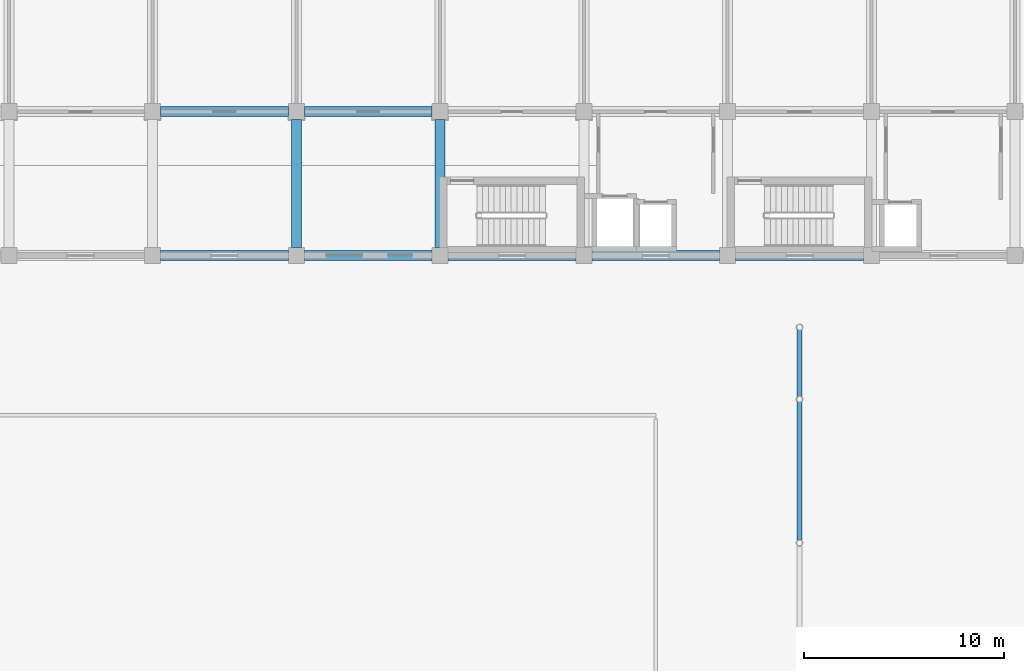
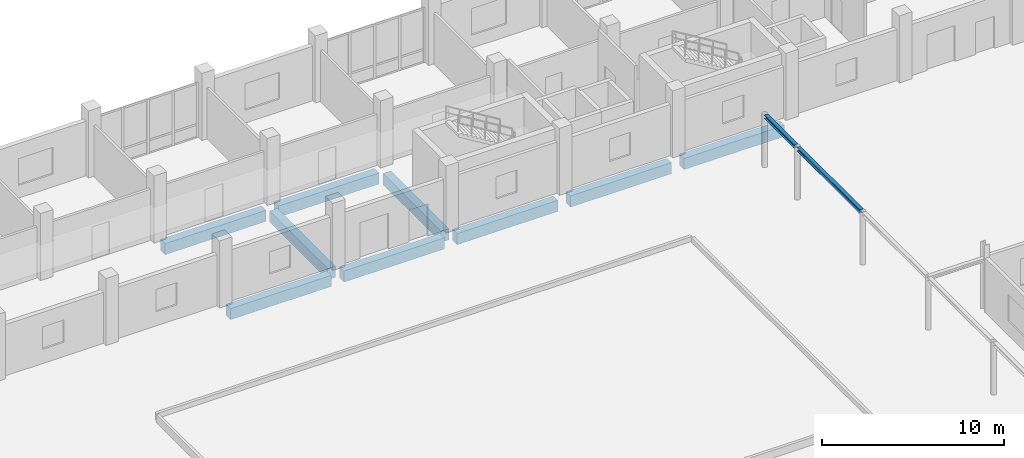
# One storey, part 52 of 139: 11 beams.
"""IFC4 building model written with IfcOpenShell, lengths in metres."""

import ifcopenshell
import ifcopenshell.guid

model = None  # the IFC model being written
_history = None  # IfcOwnerHistory: only IFC2X3 demands one
_inside = {}  # id of a spatial element -> (the spatial element, [elements in it])
_under = {}  # id of a project, library or spatial element -> (it, [spatial elements below it])
_declared = {}  # id of a project -> (the project, [libraries it declares])
_typed = {}  # id of a type object -> (the type object, [elements of that type])
_made_of = {}  # id of a material, layer set ... -> (it, [elements and type objects made of it])


def new_model(schema):
    """Start an empty IFC model of exactly this schema.

    Asked for "IFC4X3", IfcOpenShell would pick the latest addendum, in which some entities
    have other attributes; the version numbers below select the first issue.
    IFC2X3 requires an IfcOwnerHistory on every rooted entity: one is made here for all.
    """
    global model, _history
    if schema == "IFC4X3":
        model = ifcopenshell.file(schema_version=(4, 3, 0, 0))
    else:
        model = ifcopenshell.file(schema=schema)
    _inside.clear()
    _under.clear()
    _declared.clear()
    _typed.clear()
    _made_of.clear()
    _history = None
    if model.schema == "IFC2X3":
        org = make("IfcOrganization", Name="unknown")
        user = make(
            "IfcPersonAndOrganization",
            ThePerson=make("IfcPerson", FamilyName="unknown"),
            TheOrganization=org,
        )
        app = make(
            "IfcApplication",
            ApplicationDeveloper=org,
            Version="unknown",
            ApplicationFullName="unknown",
            ApplicationIdentifier="unknown",
        )
        _history = make(
            "IfcOwnerHistory",
            OwningUser=user,
            OwningApplication=app,
            ChangeAction="ADDED",
            CreationDate=0,
        )
    return model


def make(cls, **values):
    """One entity of the class cls with the attributes given. An attribute that is None is left unset."""
    return model.create_entity(
        cls, **{name: value for name, value in values.items() if value is not None}
    )


def rooted(cls, **values):
    """An entity with a GlobalId (a new one), such as an element, a storey or a relation."""
    return make(cls, GlobalId=ifcopenshell.guid.new(), OwnerHistory=_history, **values)


def si_unit(unit_type, name, prefix=None):
    """IfcSIUnit, for example si_unit("LENGTHUNIT", "METRE", prefix="MILLI")."""
    return make("IfcSIUnit", UnitType=unit_type, Prefix=prefix, Name=name)


def assignment(units):
    """IfcUnitAssignment: the units of a project."""
    return None if units is None else make("IfcUnitAssignment", Units=units)


def point(xyz):
    """IfcCartesianPoint."""
    return None if xyz is None else make("IfcCartesianPoint", Coordinates=xyz)


def direction(xyz):
    """IfcDirection."""
    return None if xyz is None else make("IfcDirection", DirectionRatios=xyz)


def frame(location, z_axis=None, x_axis=None):
    """IfcAxis2Placement3D, a coordinate frame: its origin and axes. An axis left out is left unset."""
    return make(
        "IfcAxis2Placement3D",
        Location=point(location),
        Axis=direction(z_axis),
        RefDirection=direction(x_axis),
    )


def frame_2d(location, x_axis=None):
    """IfcAxis2Placement2D, a coordinate frame in the plane: its origin and x axis."""
    return make(
        "IfcAxis2Placement2D", Location=point(location), RefDirection=direction(x_axis)
    )


def origin():
    """The frame at (0, 0, 0) with its axes left unset."""
    return frame((0.0, 0.0, 0.0))


def origin_2d():
    """The frame at (0, 0) in the plane with its x axis left unset."""
    return frame_2d((0.0, 0.0))


def place(relative_to, where):
    """IfcLocalPlacement: puts the frame where relative to a parent placement (None: the world)."""
    return make(
        "IfcLocalPlacement", PlacementRelTo=relative_to, RelativePlacement=where
    )


def context(
    kind, dimensions, precision=None, world=None, true_north=None, identifier=None
):
    """IfcGeometricRepresentationContext, for example the 3D "Model" context."""
    return make(
        "IfcGeometricRepresentationContext",
        ContextIdentifier=identifier,
        ContextType=kind,
        CoordinateSpaceDimension=dimensions,
        Precision=precision,
        WorldCoordinateSystem=world,
        TrueNorth=true_north,
    )


def subcontext(parent, identifier, kind, view, scale=None):
    """IfcGeometricRepresentationSubContext, for example "Body" below "Model"."""
    return make(
        "IfcGeometricRepresentationSubContext",
        ContextIdentifier=identifier,
        ContextType=kind,
        ParentContext=parent,
        TargetScale=scale,
        TargetView=view,
    )


def project(units=None, contexts=None):
    """IfcProject with its units and contexts."""
    return rooted(
        "IfcProject",
        Name="project",
        RepresentationContexts=contexts,
        UnitsInContext=assignment(units),
    )


def spatial(cls, under=None, at=None, **own):
    """A site, building, storey or space (cls), placed at a placement, below another one or the project."""
    s = rooted(cls, ObjectPlacement=at, **own)
    if under is not None:
        _under.setdefault(under.id(), (under, []))[1].append(s)
    return s


def profile(cls, at=None, kind="AREA", **sizes):
    """A parametric profile (cls). Its sizes go by their IFC names, for example OverallWidth=200.0."""
    return make(cls, ProfileType=kind, Position=at, **sizes)


def rectangle(**sizes):
    """IfcRectangleProfileDef."""
    return profile("IfcRectangleProfileDef", **sizes)


def i_section(**sizes):
    """IfcIShapeProfileDef."""
    return profile("IfcIShapeProfileDef", **sizes)


def extrude(swept, where, along, depth):
    """IfcExtrudedAreaSolid: the profile swept, set in the frame where, extruded along a direction by depth."""
    return make(
        "IfcExtrudedAreaSolid",
        SweptArea=swept,
        Position=where,
        ExtrudedDirection=direction(along),
        Depth=depth,
    )


def shape(context_of_items, identifier, shape_type, items):
    """IfcShapeRepresentation: the items that make up one representation, for example the "Body"."""
    return make(
        "IfcShapeRepresentation",
        ContextOfItems=context_of_items,
        RepresentationIdentifier=identifier,
        RepresentationType=shape_type,
        Items=items,
    )


def material(Name=None, Category=None):
    """IfcMaterial."""
    return make("IfcMaterial", Name=Name, Category=Category)


def material_profile(
    of_material, cross_section, Name=None, Category=None, Priority=None
):
    """IfcMaterialProfile: a cross section and its material."""
    return make(
        "IfcMaterialProfile",
        Name=Name,
        Material=of_material,
        Profile=cross_section,
        Priority=Priority,
        Category=Category,
    )


def profile_set(profiles, Name=None, composite=None):
    """IfcMaterialProfileSet."""
    return make(
        "IfcMaterialProfileSet",
        Name=Name,
        MaterialProfiles=profiles,
        CompositeProfile=composite,
    )


def made_of(thing, what):
    """Note that an element or type object is made of a material, layer set ...; save() writes the relation."""
    if what is not None:
        _made_of.setdefault(what.id(), (what, []))[1].append(thing)
    return thing


def type_object(cls, material=None, **own):
    """A type object (cls), such as IfcWallType, which elements share."""
    return made_of(rooted(cls, **own), material)


def element(
    cls,
    number,
    at=None,
    inside=None,
    cuts=None,
    type_object=None,
    material=None,
    context=None,
    identifier="Body",
    shape_type=None,
    held_by="IfcProductDefinitionShape",
    body=None,
    shapes=None,
    **own,
):
    """One element of the class cls, such as IfcWall. Its Tag is "e" and its number.

    at: its placement. inside: the storey or other place that contains it. cuts: it is an
    opening in that element (IfcRelVoidsElement). A single representation is given by context,
    identifier, shape_type and body (its items); several are given by shapes. held_by: the class
    of the entity that holds the representations. save() writes the other relations.
    """
    e = rooted(cls, Tag="e%d" % number, ObjectPlacement=at, **own)
    if body is not None:
        shapes = [shape(context, identifier, shape_type, body)]
    if shapes is not None:
        e.Representation = make(held_by, Representations=shapes)
    if inside is not None:
        _inside.setdefault(inside.id(), (inside, []))[1].append(e)
    if cuts is not None:
        rooted(
            "IfcRelVoidsElement", RelatingBuildingElement=cuts, RelatedOpeningElement=e
        )
    if type_object is not None:
        _typed.setdefault(type_object.id(), (type_object, []))[1].append(e)
    return made_of(e, material)


def aggregate(whole, parts):
    """IfcRelAggregates: a whole, such as a stair, and the parts it consists of."""
    return rooted("IfcRelAggregates", RelatingObject=whole, RelatedObjects=parts)


def save(model, path):
    """Write the relations noted so far, then the file.

    IfcRelAggregates (storeys below a building ...), IfcRelContainedInSpatialStructure (elements
    in a storey), IfcRelDefinesByType, IfcRelAssociatesMaterial and IfcRelDeclares: one each for
    every whole, place, type object, material and project.
    """
    for whole, parts in _under.values():
        aggregate(whole, parts)
    for where, things in _inside.values():
        rooted(
            "IfcRelContainedInSpatialStructure",
            RelatedElements=things,
            RelatingStructure=where,
        )
    for kind, things in _typed.values():
        rooted("IfcRelDefinesByType", RelatedObjects=things, RelatingType=kind)
    for what, things in _made_of.values():
        rooted("IfcRelAssociatesMaterial", RelatedObjects=things, RelatingMaterial=what)
    for by, libraries in _declared.values():
        rooted("IfcRelDeclares", RelatingContext=by, RelatedDefinitions=libraries)
    model.write(path)


model = new_model("IFC4")

# Units and contexts
model_context = context("Model", 3, precision=1e-05, world=origin(), true_north=direction((0.0, 1.0)))
body_context = subcontext(model_context, "Body", "Model", "MODEL_VIEW")
ifc_project = project(units=[si_unit("LENGTHUNIT", "METRE"), si_unit("AREAUNIT", "SQUARE_METRE"), si_unit("VOLUMEUNIT", "CUBIC_METRE"), si_unit("PLANEANGLEUNIT", "RADIAN"), si_unit("MASSUNIT", "GRAM", prefix="KILO")], contexts=[model_context])

# Site, building, storey
site_placement = place(None, origin())
site = spatial("IfcSite", under=ifc_project, at=site_placement, CompositionType="ELEMENT")
building_placement = place(site_placement, origin())
building = spatial("IfcBuilding", under=site, at=building_placement, Name="Suanplinth Sawtooth Commons", CompositionType="ELEMENT")
storey_placement = place(building_placement, origin())
storey = spatial("IfcBuildingStorey", under=building, at=storey_placement, Name="L00", CompositionType="ELEMENT", Elevation=0.0)

# Beams
ifc_material_1 = material(Name="Concrete C40/50", Category="concrete")
ifc_material_profile_1 = material_profile(ifc_material_1, rectangle(XDim=0.5, YDim=0.75, at=origin_2d()), Name="RC-GDR 500x750")
ifc_profile_set_1 = profile_set([ifc_material_profile_1], Name="Concrete C40/50")
beam_type_1 = type_object("IfcBeamType", Name="B-03", PredefinedType="USERDEFINED", material=ifc_profile_set_1)
for number, where, z_axis, x_axis, name in (
    (1, (29.199951171875, 108.0, -0.784912109375), (1.0, 0.0, 0.0), (0.0, 1.0, 0.0), "BMX-L00-A-4-15"),
    (2, (29.199951171875, 115.199951171875, -0.784912109375), (1.0, 0.0, 0.0), (0.0, 1.0, 0.0), "BMX-L00-A-4-16"),
    (3, (36.39990234375, 108.0, -0.784912109375), (1.0, 0.0, 0.0), (0.0, 1.0, 0.0), "BMX-L00-A-5-15"),
    (4, (36.39990234375, 115.199951171875, -0.784912109375), (1.0, 0.0, 0.0), (0.0, 1.0, 0.0), "BMX-L00-A-5-16"),
):
    element("IfcBeam", number, at=place(storey_placement, frame(where, z_axis=z_axis, x_axis=x_axis)), inside=storey, type_object=beam_type_1, Name=name, ObjectType="GIRDER", PredefinedType="USERDEFINED", context=body_context, shape_type="SweptSolid", body=[
        extrude(rectangle(XDim=0.5, YDim=0.75, at=origin_2d()), origin(), (0.0, 0.0, 1.0), 6.400146484375),
    ])
for number, where, z_axis, x_axis, name in (
    (5, (43.60009765625, 108.0, -0.784912109375), (1.0, 0.0, 0.0), (0.0, 1.0, 0.0), "BMX-L00-A-6-15"),
    (6, (50.800048828125, 108.0, -0.784912109375), (1.0, 0.0, 0.0), (0.0, 1.0, 0.0), "BMX-L00-A-7-15"),
    (7, (58.0, 108.0, -0.784912109375), (1.0, 0.0, 0.0), (0.0, 1.0, 0.0), "BMX-L00-A-8-15"),
):
    element("IfcBeam", number, at=place(storey_placement, frame(where, z_axis=z_axis, x_axis=x_axis)), inside=storey, type_object=beam_type_1, Name=name, ObjectType="GIRDER", PredefinedType="USERDEFINED", context=body_context, shape_type="SweptSolid", body=[
        extrude(rectangle(XDim=0.5, YDim=0.75, at=origin_2d()), origin(), (0.0, 0.0, 1.0), 6.39990234375),
    ])
for number, where, z_axis, x_axis, name in (
    (8, (36.0, 108.39990234375, -0.784912109375), (0.0, 1.0, 0.0), (-1.0, 0.0, 0.0), "BMY-L00-A-5-15"),
    (9, (43.199951171875, 108.39990234375, -0.784912109375), (0.0, 1.0, 0.0), (-1.0, 0.0, 0.0), "BMY-L00-A-6-15"),
):
    element("IfcBeam", number, at=place(storey_placement, frame(where, z_axis=z_axis, x_axis=x_axis)), inside=storey, type_object=beam_type_1, Name=name, ObjectType="GIRDER", PredefinedType="USERDEFINED", context=body_context, shape_type="SweptSolid", body=[
        extrude(rectangle(XDim=0.5, YDim=0.75, at=origin_2d()), origin(), (0.0, 0.0, 1.0), 6.400146484375),
    ])
ifc_material_2 = material(Name="Steel S355JR", Category="steel")
ifc_material_profile_2 = material_profile(ifc_material_2, i_section(OverallWidth=0.239990234375, OverallDepth=0.22998046875, WebThickness=0.007568359375, FlangeThickness=0.011962890625, at=origin_2d()), Name="HEA 240")
ifc_profile_set_2 = profile_set([ifc_material_profile_2], Name="Steel S355JR")
beam_type_2 = type_object("IfcBeamType", Name="B-17", PredefinedType="BEAM", material=ifc_profile_set_2)
beam_1_placement = place(storey_placement, frame((61.199951171875, 93.739990234375, 3.43994140625), z_axis=(0.0, 1.0, 0.0), x_axis=(-1.0, 0.0, 0.0)))
element("IfcBeam", 10, at=beam_1_placement, inside=storey, type_object=beam_type_2, Name="West Breezeway Spine Beam 10", PredefinedType="BEAM", context=body_context, shape_type="SweptSolid", body=[
    extrude(i_section(OverallWidth=0.239990234375, OverallDepth=0.22998046875, WebThickness=0.007568359375, FlangeThickness=0.011962890625, at=origin_2d()), origin(), (0.0, 0.0, 1.0), 6.919921875),
])
beam_2_placement = place(storey_placement, frame((61.199951171875, 100.93994140625, 3.43994140625), z_axis=(0.0, 1.0, 0.0), x_axis=(-1.0, 0.0, 0.0)))
element("IfcBeam", 11, at=beam_2_placement, inside=storey, type_object=beam_type_2, Name="West Breezeway Spine Beam 11", PredefinedType="BEAM", context=body_context, shape_type="SweptSolid", body=[
    extrude(i_section(OverallWidth=0.239990234375, OverallDepth=0.22998046875, WebThickness=0.007568359375, FlangeThickness=0.011962890625, at=origin_2d()), origin(), (0.0, 0.0, 1.0), 3.320068359375),
])

save(model, "model.ifc")
